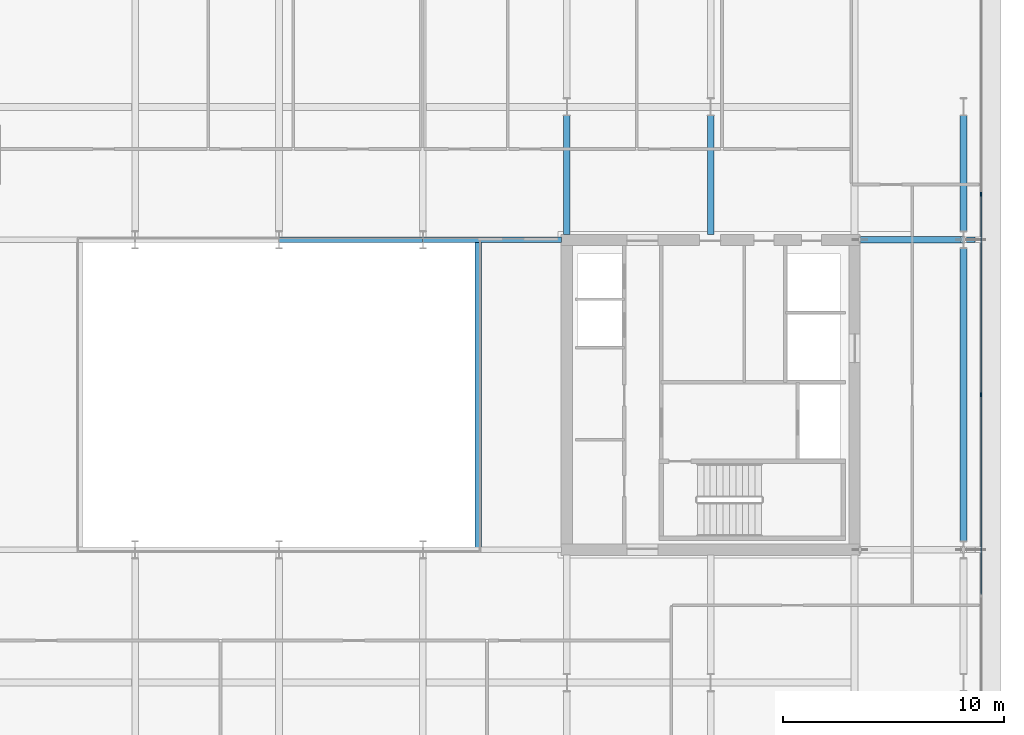
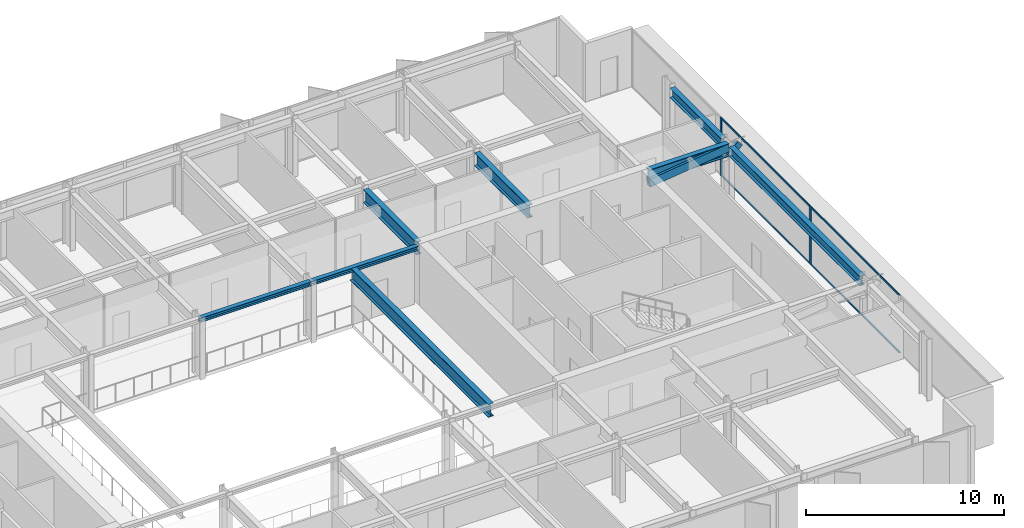
# One storey, part 6 of 19: 8 beams, 8 members, 1 element without a shape of its own.
"""IFC4 building model written with IfcOpenShell, lengths in metres."""

from ifc_helpers import new_model, si_unit, direction, frame, origin, origin_2d, place, context, subcontext, project, spatial, rectangle, hollow_rectangle, i_section, extrude, material, layer, layer_set, material_profile, profile_set, type_object, element, aggregate, save


model = new_model("IFC4")

# Units and contexts
model_context = context("Model", 3, precision=1e-05, world=origin(), true_north=direction((0.0, 1.0)))
body_context = subcontext(model_context, "Body", "Model", "MODEL_VIEW")
ifc_project = project(units=[si_unit("LENGTHUNIT", "METRE"), si_unit("AREAUNIT", "SQUARE_METRE"), si_unit("VOLUMEUNIT", "CUBIC_METRE"), si_unit("PLANEANGLEUNIT", "RADIAN"), si_unit("MASSUNIT", "GRAM", prefix="KILO")], contexts=[model_context])

# Site, building, storey
site_placement = place(None, origin())
site = spatial("IfcSite", under=ifc_project, at=site_placement, CompositionType="ELEMENT")
building_placement = place(site_placement, origin())
building = spatial("IfcBuilding", under=site, at=building_placement, Name="Putna Gate Headquarters", CompositionType="ELEMENT")
storey_placement = place(building_placement, frame((0.0, 0.0, 255.60009765625)))
storey = spatial("IfcBuildingStorey", under=building, at=storey_placement, Name="L64", CompositionType="ELEMENT", Elevation=255.60009765625)

# Beams
ifc_material_1 = material(Name="Steel S355J2", Category="steel")
ifc_material_profile_1 = material_profile(ifc_material_1, i_section(OverallWidth=0.260009765625, OverallDepth=0.260009765625, WebThickness=0.010009765625, FlangeThickness=0.017578125, at=origin_2d()), Name="Steel S355J2")
ifc_profile_set_1 = profile_set([ifc_material_profile_1], Name="Steel S355J2")
beam_type_1 = type_object("IfcBeamType", Name="BM-ATRIUM-HEB260", PredefinedType="BEAM", material=ifc_profile_set_1)
beam_1_placement = place(storey_placement, frame((39.006103515625, 33.0, 3.4580078125), z_axis=(1.0, 0.0, 0.0), x_axis=(0.0, 1.0, 0.0)))
element("IfcBeam", 1, at=beam_1_placement, inside=storey, type_object=beam_type_1, Name="L64 Atrium Edge Beam AN3", PredefinedType="BEAM", context=body_context, shape_type="SweptSolid", body=[
    extrude(i_section(OverallWidth=0.260009765625, OverallDepth=0.260009765625, WebThickness=0.010009765625, FlangeThickness=0.017578125, at=origin_2d()), origin(), (0.0, 0.0, 1.0), 6.48779296875),
])
beam_2_placement = place(storey_placement, frame((45.506103515625, 33.0, 3.4580078125), z_axis=(1.0, 0.0, 0.0), x_axis=(0.0, 1.0, 0.0)))
element("IfcBeam", 2, at=beam_2_placement, inside=storey, type_object=beam_type_1, Name="L64 Atrium Edge Beam AN4", PredefinedType="BEAM", context=body_context, shape_type="SweptSolid", body=[
    extrude(i_section(OverallWidth=0.260009765625, OverallDepth=0.260009765625, WebThickness=0.010009765625, FlangeThickness=0.017578125, at=origin_2d()), origin(), (0.0, 0.0, 1.0), 6.2587890625),
])
ifc_material_profile_2 = material_profile(ifc_material_1, i_section(OverallWidth=0.300048828125, OverallDepth=0.800048828125, WebThickness=0.017578125, FlangeThickness=0.032958984375, at=origin_2d()), Name="Steel S355J2")
ifc_profile_set_2 = profile_set([ifc_material_profile_2], Name="Steel S355J2")
beam_type_2 = type_object("IfcBeamType", Name="BM-GIRD-P-HEB800", PredefinedType="USERDEFINED", material=ifc_profile_set_2)
beam_3_placement = place(storey_placement, frame((65.235107421875, 33.0, 3.18798828125), z_axis=(1.0, 0.0, 0.0), x_axis=(0.0, 1.0, 0.0)))
element("IfcBeam", 3, at=beam_3_placement, inside=storey, type_object=beam_type_2, Name="L64 East Wing Girder Y33", ObjectType="GIRDER", PredefinedType="USERDEFINED", context=body_context, shape_type="SweptSolid", body=[
    extrude(i_section(OverallWidth=0.300048828125, OverallDepth=0.800048828125, WebThickness=0.017578125, FlangeThickness=0.032958984375, at=origin_2d()), origin(), (0.0, 0.0, 1.0), 4.678955078125),
])
for number, where, z_axis, x_axis, name in (
    (4, (52.0, 33.235107421875, 3.18798828125), (0.0, 1.0, 0.0), (-1.0, 0.0, 0.0), "L64 North Primary Girder X52-1"),
    (5, (58.5, 33.235107421875, 3.18798828125), (0.0, 1.0, 0.0), (-1.0, 0.0, 0.0), "L64 North Primary Girder X58-1"),
):
    element("IfcBeam", number, at=place(storey_placement, frame(where, z_axis=z_axis, x_axis=x_axis)), inside=storey, type_object=beam_type_2, Name=name, ObjectType="GIRDER", PredefinedType="USERDEFINED", context=body_context, shape_type="SweptSolid", body=[
        extrude(i_section(OverallWidth=0.300048828125, OverallDepth=0.800048828125, WebThickness=0.017578125, FlangeThickness=0.032958984375, at=origin_2d()), origin(), (0.0, 0.0, 1.0), 5.369873046875),
    ])
beam_4_placement = place(storey_placement, frame((48.0, 19.010009765625, 3.18798828125), z_axis=(0.0, 1.0, 0.0), x_axis=(-1.0, 0.0, 0.0)))
element("IfcBeam", 6, at=beam_4_placement, inside=storey, type_object=beam_type_2, Name="L64 Atrium Trim Girder AE", ObjectType="GIRDER", PredefinedType="USERDEFINED", context=body_context, shape_type="SweptSolid", body=[
    extrude(i_section(OverallWidth=0.300048828125, OverallDepth=0.800048828125, WebThickness=0.017578125, FlangeThickness=0.032958984375, at=origin_2d()), origin(), (0.0, 0.0, 1.0), 13.97998046875),
])
ifc_material_profile_3 = material_profile(ifc_material_1, i_section(OverallWidth=0.300048828125, OverallDepth=0.590087890625, WebThickness=0.012939453125, FlangeThickness=0.02490234375, at=origin_2d()), Name="Steel S355J2")
ifc_profile_set_3 = profile_set([ifc_material_profile_3], Name="Steel S355J2")
beam_type_3 = type_object("IfcBeamType", Name="BM-SPAN-Z4-HEA600", PredefinedType="SPANDREL", material=ifc_profile_set_3)
beam_5_placement = place(storey_placement, frame((69.919921875, 19.39501953125, 3.29296875), z_axis=(0.0, 1.0, 0.0), x_axis=(-1.0, 0.0, 0.0)))
element("IfcBeam", 7, at=beam_5_placement, inside=storey, type_object=beam_type_3, Name="L64 E End Spandrel 2", PredefinedType="SPANDREL", context=body_context, shape_type="SweptSolid", body=[
    extrude(i_section(OverallWidth=0.300048828125, OverallDepth=0.590087890625, WebThickness=0.012939453125, FlangeThickness=0.02490234375, at=origin_2d()), origin(), (0.0, 0.0, 1.0), 13.2099609375),
])
beam_6_placement = place(storey_placement, frame((69.919921875, 33.39501953125, 3.29296875), z_axis=(0.0, 1.0, 0.0), x_axis=(-1.0, 0.0, 0.0)))
element("IfcBeam", 8, at=beam_6_placement, inside=storey, type_object=beam_type_3, Name="L64 E End Spandrel 3", PredefinedType="SPANDREL", context=body_context, shape_type="SweptSolid", body=[
    extrude(i_section(OverallWidth=0.300048828125, OverallDepth=0.590087890625, WebThickness=0.012939453125, FlangeThickness=0.02490234375, at=origin_2d()), origin(), (0.0, 0.0, 1.0), 5.2099609375),
])

# Members
ifc_material_2 = material(Name="Steel S460M", Category="steel")
ifc_material_profile_4 = material_profile(ifc_material_2, hollow_rectangle(XDim=0.300048828125, YDim=0.5, WallThickness=0.02001953125, at=origin_2d()), Name="Steel S460M")
ifc_profile_set_4 = profile_set([ifc_material_profile_4], Name="Steel S460M")
member_type_1 = type_object("IfcMemberType", Name="MEM-SAIL-ARC-RHS500", PredefinedType="STRUT", material=ifc_profile_set_4)
member_1_placement = place(storey_placement, frame((65.259765625, 33.0, 2.75244140625), z_axis=(0.99221678719, 0.0, 0.124522476761), x_axis=(0.0, 1.0, 0.0)))
element("IfcMember", 9, at=member_1_placement, inside=storey, type_object=member_type_1, Name="L64 East Sail Transfer Arc Strut Y33", PredefinedType="STRUT", context=body_context, shape_type="SweptSolid", body=[
    extrude(hollow_rectangle(XDim=0.300048828125, YDim=0.5, WallThickness=0.02001953125, at=origin_2d()), origin(), (0.0, 0.0, 1.0), 4.681884765625),
])
ifc_material_profile_5 = material_profile(ifc_material_2, hollow_rectangle(XDim=0.25, YDim=0.39990234375, WallThickness=0.01611328125, at=origin_2d()), Name="Steel S460M")
ifc_profile_set_5 = profile_set([ifc_material_profile_5], Name="Steel S460M")
member_type_2 = type_object("IfcMemberType", Name="MEM-SAIL-BRACE-RHS400", PredefinedType="BRACE", material=ifc_profile_set_5)
member_2_placement = place(storey_placement, frame((69.9296875, 33.0, 2.763427734375), z_axis=(0.736504321271, 0.0, 0.676432838314), x_axis=(0.0, 1.0, 0.0)))
element("IfcMember", 10, at=member_2_placement, inside=storey, type_object=member_type_2, Name="L64 East Sail Cantilever Raker Y33", PredefinedType="BRACE", context=body_context, shape_type="SweptSolid", body=[
    extrude(hollow_rectangle(XDim=0.25, YDim=0.39990234375, WallThickness=0.01611328125, at=origin_2d()), origin(), (0.0, 0.0, 1.0), 0.873779296875),
])

# Curtain wall, members
ifc_material_3 = material(Name="Anodised bronze aluminium curtain wall", Category="aluminium")
ifc_layer = layer(ifc_material_3, 0.179931640625)
ifc_layer_set = layer_set([ifc_layer], Name="Anodised bronze aluminium curtain wall")
curtain_wall_type = type_object("IfcCurtainWallType", Name="CW-SYS-Z5", PredefinedType="USERDEFINED", material=ifc_layer_set)
curtain_wall_placement = place(storey_placement, origin())
curtain_wall = element("IfcCurtainWall", 11, at=curtain_wall_placement, inside=storey, type_object=curtain_wall_type, Name="L64 East Curtain Wall", ObjectType="STICK CURTAIN WALL", PredefinedType="USERDEFINED")
ifc_material_4 = material(Name="Anodised bronze aluminium EN AW-6060", Category="aluminium")
ifc_material_profile_6 = material_profile(ifc_material_4, rectangle(XDim=0.070068359375, YDim=0.179931640625, at=origin_2d()), Name="Anodised bronze aluminium EN AW-6060")
ifc_profile_set_6 = profile_set([ifc_material_profile_6], Name="Anodised bronze aluminium EN AW-6060")
member_type_3 = type_object("IfcMemberType", Name="MULL-CWM-5", PredefinedType="MULLION", material=ifc_profile_set_6)
member_3_placement = place(storey_placement, frame((70.719970703125, 26.0, 0.0), z_axis=(0.0, 0.0, 1.0), x_axis=(-1.0, 0.0, 0.0)))
member_3 = element("IfcMember", 12, at=member_3_placement, type_object=member_type_3, Name="CWS-5 mullion 3", PredefinedType="MULLION", context=body_context, shape_type="SweptSolid", body=[
    extrude(rectangle(XDim=0.070068359375, YDim=0.179931640625, at=origin_2d()), origin(), (0.0, 0.0, 1.0), 3.587890625),
])
member_4_placement = place(storey_placement, frame((70.719970703125, 35.050048828125, 0.0), z_axis=(0.0, 0.0, 1.0), x_axis=(-1.0, 0.0, 0.0)))
member_4 = element("IfcMember", 13, at=member_4_placement, type_object=member_type_3, Name="CWS-5 mullion 4", PredefinedType="MULLION", context=body_context, shape_type="SweptSolid", body=[
    extrude(rectangle(XDim=0.070068359375, YDim=0.179931640625, at=origin_2d()), origin(), (0.0, 0.0, 1.0), 3.587890625),
])
ifc_material_profile_7 = material_profile(ifc_material_4, rectangle(XDim=0.06005859375, YDim=0.10009765625, at=origin_2d()), Name="Anodised bronze aluminium EN AW-6060")
ifc_profile_set_7 = profile_set([ifc_material_profile_7], Name="Anodised bronze aluminium EN AW-6060")
member_type_4 = type_object("IfcMemberType", Name="TRAN-CWT-5", PredefinedType="USERDEFINED", material=ifc_profile_set_7)
member_5_placement = place(storey_placement, frame((70.719970703125, 16.985107421875, 0.02978515625), z_axis=(0.0, 1.0, 0.0), x_axis=(-1.0, 0.0, 0.0)))
member_5 = element("IfcMember", 14, at=member_5_placement, type_object=member_type_4, Name="CWS-5 transom 2.1", ObjectType="TRANSOM", PredefinedType="USERDEFINED", context=body_context, shape_type="SweptSolid", body=[
    extrude(rectangle(XDim=0.06005859375, YDim=0.10009765625, at=origin_2d()), origin(), (0.0, 0.0, 1.0), 8.97998046875),
])
member_6_placement = place(storey_placement, frame((70.719970703125, 16.985107421875, 3.557861328125), z_axis=(0.0, 1.0, 0.0), x_axis=(-1.0, 0.0, 0.0)))
member_6 = element("IfcMember", 15, at=member_6_placement, type_object=member_type_4, Name="CWS-5 transom 2.2", ObjectType="TRANSOM", PredefinedType="USERDEFINED", context=body_context, shape_type="SweptSolid", body=[
    extrude(rectangle(XDim=0.06005859375, YDim=0.10009765625, at=origin_2d()), origin(), (0.0, 0.0, 1.0), 8.97998046875),
])
member_7_placement = place(storey_placement, frame((70.719970703125, 26.034912109375, 0.02978515625), z_axis=(0.0, 1.0, 0.0), x_axis=(-1.0, 0.0, 0.0)))
member_7 = element("IfcMember", 16, at=member_7_placement, type_object=member_type_4, Name="CWS-5 transom 3.1", ObjectType="TRANSOM", PredefinedType="USERDEFINED", context=body_context, shape_type="SweptSolid", body=[
    extrude(rectangle(XDim=0.06005859375, YDim=0.10009765625, at=origin_2d()), origin(), (0.0, 0.0, 1.0), 8.97998046875),
])
member_8_placement = place(storey_placement, frame((70.719970703125, 26.034912109375, 3.557861328125), z_axis=(0.0, 1.0, 0.0), x_axis=(-1.0, 0.0, 0.0)))
member_8 = element("IfcMember", 17, at=member_8_placement, type_object=member_type_4, Name="CWS-5 transom 3.2", ObjectType="TRANSOM", PredefinedType="USERDEFINED", context=body_context, shape_type="SweptSolid", body=[
    extrude(rectangle(XDim=0.06005859375, YDim=0.10009765625, at=origin_2d()), origin(), (0.0, 0.0, 1.0), 8.97998046875),
])
aggregate(curtain_wall, [member_3, member_4, member_5, member_6, member_7, member_8])

save(model, "model.ifc")
